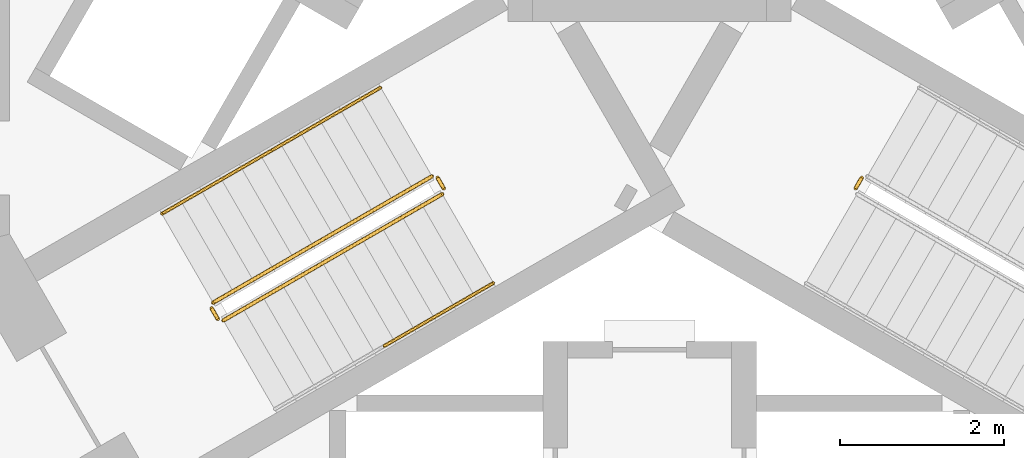
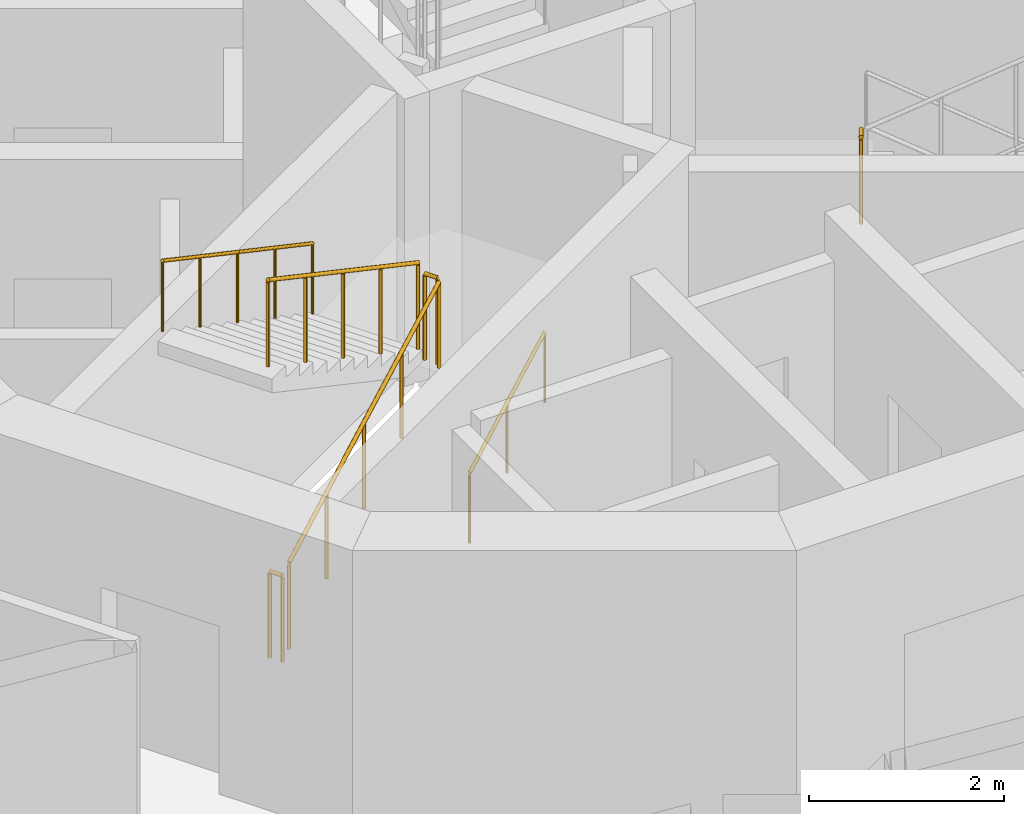
# One storey, part 11 of 16: 8 railings.
"""IFC4 building model written with IfcOpenShell, lengths in metres."""

from ifc_helpers import new_model, si_unit, direction, frame, origin, origin_2d, place, context, subcontext, project, spatial, circle, extrude, material, type_object, element, save


model = new_model("IFC4")

# Units and contexts
model_context = context("Model", 3, precision=1e-05, world=origin(), true_north=direction((0.0, 1.0)))
body_context = subcontext(model_context, "Body", "Model", "MODEL_VIEW")
ifc_project = project(units=[si_unit("LENGTHUNIT", "METRE"), si_unit("AREAUNIT", "SQUARE_METRE"), si_unit("VOLUMEUNIT", "CUBIC_METRE"), si_unit("PLANEANGLEUNIT", "RADIAN"), si_unit("MASSUNIT", "GRAM", prefix="KILO")], contexts=[model_context])

# Site, building, storey
site_placement = place(None, origin())
site = spatial("IfcSite", under=ifc_project, at=site_placement, CompositionType="ELEMENT")
building_placement = place(site_placement, origin())
building = spatial("IfcBuilding", under=site, at=building_placement, Name="Trine Commons Tower", CompositionType="ELEMENT")
storey_placement = place(building_placement, frame((0.0, 0.0, 226.800048828125)))
storey = spatial("IfcBuildingStorey", under=building, at=storey_placement, Name="L59", CompositionType="ELEMENT", Elevation=226.800048828125)

# Railings
ifc_material_1 = material(Name="Stainless steel balustrade", Category="steel")
railing_type_1 = type_object("IfcRailingType", Name="Stair guard, steel balustrade 1100", PredefinedType="GUARDRAIL", material=ifc_material_1)
railing_1_placement = place(storey_placement, frame((74.80517578125, 59.3564453125, 0.14990234375)))
element("IfcRailing", 1, at=railing_1_placement, inside=storey, type_object=railing_type_1, Name="L59 ST2C stair guard 1", PredefinedType="GUARDRAIL", context=body_context, shape_type="SweptSolid", body=[
    extrude(circle(Radius=0.02392578125, at=origin_2d()), frame((0.0, 0.0, 1.076171875), z_axis=(0.763379768245, 0.440728498818, 0.472239049384), x_axis=(-0.499992328818, 0.866029832698, 0.0)), (0.0, 0.0, 1.0), 3.494384765625),
    extrude(circle(Radius=0.02099609375, at=origin_2d()), origin(), (0.0, 0.0, 1.0), 1.052001953125),
    extrude(circle(Radius=0.02099609375, at=origin_2d()), frame((0.6669921875, 0.385009765625, 0.41259765625)), (0.0, 0.0, 1.0), 1.052001953125),
    extrude(circle(Radius=0.02099609375, at=origin_2d()), frame((1.333740234375, 0.77001953125, 0.8251953125)), (0.0, 0.0, 1.0), 1.052001953125),
    extrude(circle(Radius=0.02099609375, at=origin_2d()), frame((2.00048828125, 1.155029296875, 1.237548828125)), (0.0, 0.0, 1.0), 1.052001953125),
    extrude(circle(Radius=0.02099609375, at=origin_2d()), frame((2.66748046875, 1.5400390625, 1.650146484375)), (0.0, 0.0, 1.0), 1.052001953125),
])
railing_2_placement = place(storey_placement, frame((77.490966796875, 60.96484375, 1.800048828125)))
element("IfcRailing", 2, at=railing_2_placement, inside=storey, type_object=railing_type_1, Name="L59 ST2C stair guard 2", PredefinedType="GUARDRAIL", context=body_context, shape_type="SweptSolid", body=[
    extrude(circle(Radius=0.02392578125, at=origin_2d()), frame((0.0, 0.0, 1.076171875), z_axis=(-0.501036270542, 0.865426285481, 0.0), x_axis=(-0.865426285481, -0.501036270542, 0.0)), (0.0, 0.0, 1.0), 0.150146484375),
    extrude(circle(Radius=0.02099609375, at=origin_2d()), origin(), (0.0, 0.0, 1.0), 1.052001953125),
    extrude(circle(Radius=0.02099609375, at=origin_2d()), frame((-0.0751953125, 0.1298828125, 0.0)), (0.0, 0.0, 1.0), 1.052001953125),
])
railing_3_placement = place(storey_placement, frame((77.34765625, 61.113037109375, 1.949951171875)))
element("IfcRailing", 3, at=railing_3_placement, inside=storey, type_object=railing_type_1, Name="L59 ST2C stair guard 3", PredefinedType="GUARDRAIL", context=body_context, shape_type="SweptSolid", body=[
    extrude(circle(Radius=0.02392578125, at=origin_2d()), frame((0.0, 0.0, 1.076171875), z_axis=(-0.76340495495, -0.440743040072, 0.472184759798), x_axis=(0.499992328818, -0.866029832698, 0.0)), (0.0, 0.0, 1.0), 3.494140625),
    extrude(circle(Radius=0.02099609375, at=origin_2d()), origin(), (0.0, 0.0, 1.0), 1.052001953125),
    extrude(circle(Radius=0.02099609375, at=origin_2d()), frame((-0.6669921875, -0.385009765625, 0.41259765625)), (0.0, 0.0, 1.0), 1.052001953125),
    extrude(circle(Radius=0.02099609375, at=origin_2d()), frame((-1.333740234375, -0.77001953125, 0.824951171875)), (0.0, 0.0, 1.0), 1.052001953125),
    extrude(circle(Radius=0.02099609375, at=origin_2d()), frame((-2.00048828125, -1.155029296875, 1.2373046875)), (0.0, 0.0, 1.0), 1.052001953125),
    extrude(circle(Radius=0.02099609375, at=origin_2d()), frame((-2.66748046875, -1.5400390625, 1.64990234375)), (0.0, 0.0, 1.0), 1.052001953125),
])
railing_4_placement = place(storey_placement, frame((74.73681640625, 59.374755859375, 0.0)))
element("IfcRailing", 4, at=railing_4_placement, inside=storey, type_object=railing_type_1, Name="L59 ST2C stair guard 4", PredefinedType="GUARDRAIL", context=body_context, shape_type="SweptSolid", body=[
    extrude(circle(Radius=0.02392578125, at=origin_2d()), frame((0.0, 0.0, 1.076171875), z_axis=(-0.499816412211, 0.866131372301, 0.0), x_axis=(-0.866131372301, -0.499816412211, 0.0)), (0.0, 0.0, 1.0), 0.14990234375),
    extrude(circle(Radius=0.02099609375, at=origin_2d()), origin(), (0.0, 0.0, 1.0), 1.052001953125),
    extrude(circle(Radius=0.02099609375, at=origin_2d()), frame((-0.074951171875, 0.1298828125, 0.0)), (0.0, 0.0, 1.0), 1.052001953125),
])
railing_5_placement = place(storey_placement, frame((82.584228515625, 61.0947265625, 1.800048828125)))
element("IfcRailing", 5, at=railing_5_placement, inside=storey, type_object=railing_type_1, Name="L59 ST3C stair guard 2", PredefinedType="GUARDRAIL", context=body_context, shape_type="SweptSolid", body=[
    extrude(circle(Radius=0.02392578125, at=origin_2d()), frame((0.0, 0.0, 1.076171875), z_axis=(-0.501036270542, -0.865426285481, 0.0), x_axis=(0.865426285481, -0.501036270542, 0.0)), (0.0, 0.0, 1.0), 0.150146484375),
    extrude(circle(Radius=0.02099609375, at=origin_2d()), origin(), (0.0, 0.0, 1.0), 1.052001953125),
    extrude(circle(Radius=0.02099609375, at=origin_2d()), frame((-0.0751953125, -0.1298828125, 0.0)), (0.0, 0.0, 1.0), 1.052001953125),
])
ifc_material_2 = material(Name="Stainless steel handrail", Category="steel")
railing_type_2 = type_object("IfcRailingType", Name="Stair handrail, steel 900", PredefinedType="HANDRAIL", material=ifc_material_2)
railing_6_placement = place(storey_placement, frame((76.763916015625, 59.0439453125, 0.974853515625)))
element("IfcRailing", 6, at=railing_6_placement, inside=storey, type_object=railing_type_2, Name="L59 ST2C stair handrail 2", PredefinedType="HANDRAIL", context=body_context, shape_type="SweptSolid", body=[
    extrude(circle(Radius=0.02099609375, at=origin_2d()), frame((0.0, 0.0, 0.87890625), z_axis=(0.763354580307, 0.440713956853, 0.472293333596), x_axis=(-0.499992328818, 0.866029832698, 0.0)), (0.0, 0.0, 1.0), 1.747314453125),
    extrude(circle(Radius=0.01513671875, at=origin_2d()), origin(), (0.0, 0.0, 1.0), 0.85791015625),
    extrude(circle(Radius=0.01513671875, at=origin_2d()), frame((0.6669921875, 0.385009765625, 0.41259765625)), (0.0, 0.0, 1.0), 0.85791015625),
    extrude(circle(Radius=0.01513671875, at=origin_2d()), frame((1.333740234375, 0.77001953125, 0.8251953125)), (0.0, 0.0, 1.0), 0.85791015625),
])
for number, where, name in (
    (7, (76.72265625, 62.195556640625, 1.949951171875), "L59 ST2C stair handrail 3"),
    (8, (75.388916015625, 61.425537109375, 2.77490234375), "L59 ST2C stair handrail 4"),
):
    element("IfcRailing", number, at=place(storey_placement, frame(where)), inside=storey, type_object=railing_type_2, Name=name, PredefinedType="HANDRAIL", context=body_context, shape_type="SweptSolid", body=[
        extrude(circle(Radius=0.02099609375, at=origin_2d()), frame((0.0, 0.0, 0.87890625), z_axis=(-0.76340495495, -0.440743040072, 0.472184759798), x_axis=(0.499992328818, -0.866029832698, 0.0)), (0.0, 0.0, 1.0), 1.7470703125),
        extrude(circle(Radius=0.01513671875, at=origin_2d()), origin(), (0.0, 0.0, 1.0), 0.85791015625),
        extrude(circle(Radius=0.01513671875, at=origin_2d()), frame((-0.6669921875, -0.385009765625, 0.41259765625)), (0.0, 0.0, 1.0), 0.85791015625),
        extrude(circle(Radius=0.01513671875, at=origin_2d()), frame((-1.333740234375, -0.77001953125, 0.824951171875)), (0.0, 0.0, 1.0), 0.85791015625),
    ])

save(model, "model.ifc")
